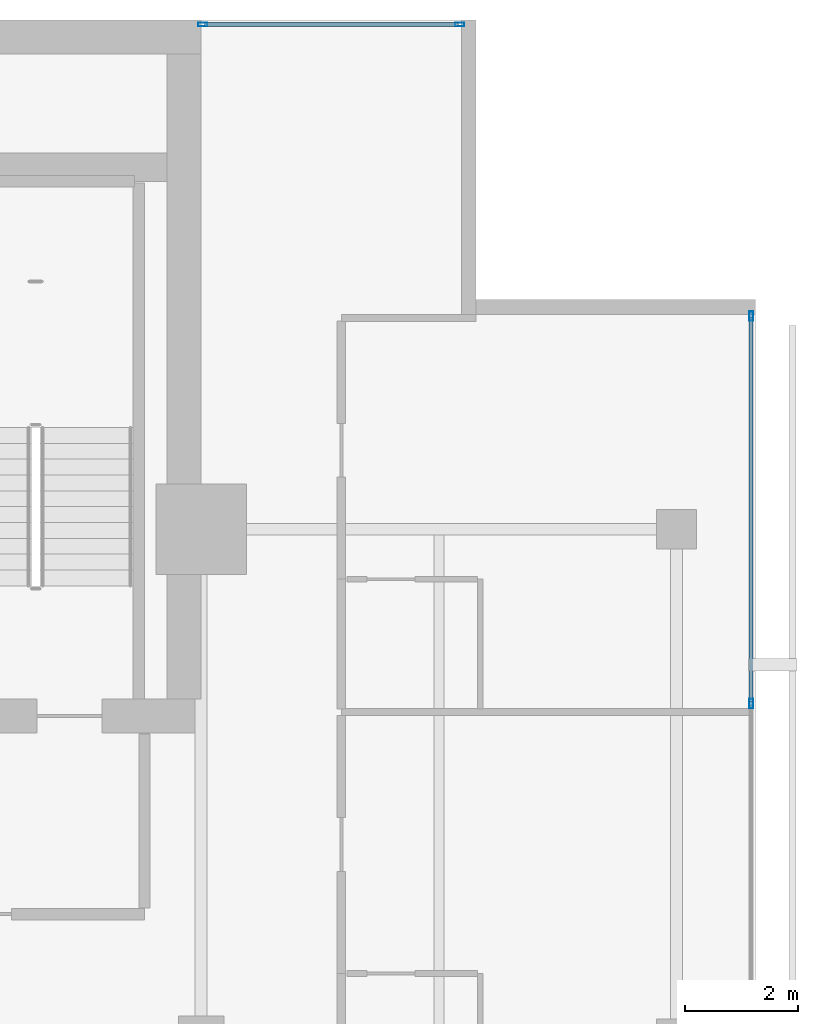
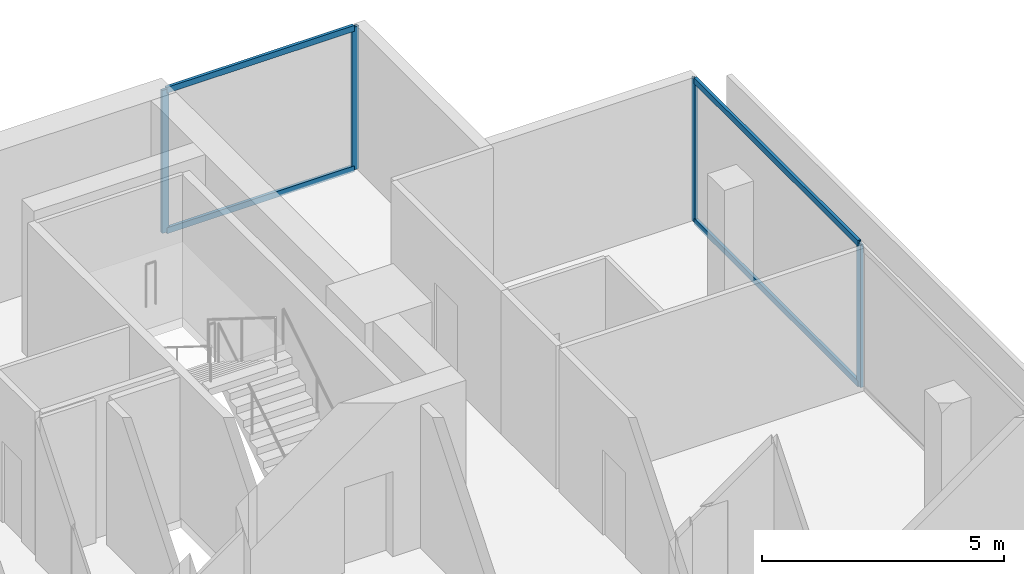
# One storey, part 18 of 25: 8 members, 2 elements without a shape of their own.
"""IFC4 building model written with IfcOpenShell, lengths in metres."""

import ifcopenshell
import ifcopenshell.guid

model = None  # the IFC model being written
_history = None  # IfcOwnerHistory: only IFC2X3 demands one
_inside = {}  # id of a spatial element -> (the spatial element, [elements in it])
_under = {}  # id of a project, library or spatial element -> (it, [spatial elements below it])
_declared = {}  # id of a project -> (the project, [libraries it declares])
_typed = {}  # id of a type object -> (the type object, [elements of that type])
_made_of = {}  # id of a material, layer set ... -> (it, [elements and type objects made of it])


def new_model(schema):
    """Start an empty IFC model of exactly this schema.

    Asked for "IFC4X3", IfcOpenShell would pick the latest addendum, in which some entities
    have other attributes; the version numbers below select the first issue.
    IFC2X3 requires an IfcOwnerHistory on every rooted entity: one is made here for all.
    """
    global model, _history
    if schema == "IFC4X3":
        model = ifcopenshell.file(schema_version=(4, 3, 0, 0))
    else:
        model = ifcopenshell.file(schema=schema)
    _inside.clear()
    _under.clear()
    _declared.clear()
    _typed.clear()
    _made_of.clear()
    _history = None
    if model.schema == "IFC2X3":
        org = make("IfcOrganization", Name="unknown")
        user = make(
            "IfcPersonAndOrganization",
            ThePerson=make("IfcPerson", FamilyName="unknown"),
            TheOrganization=org,
        )
        app = make(
            "IfcApplication",
            ApplicationDeveloper=org,
            Version="unknown",
            ApplicationFullName="unknown",
            ApplicationIdentifier="unknown",
        )
        _history = make(
            "IfcOwnerHistory",
            OwningUser=user,
            OwningApplication=app,
            ChangeAction="ADDED",
            CreationDate=0,
        )
    return model


def make(cls, **values):
    """One entity of the class cls with the attributes given. An attribute that is None is left unset."""
    return model.create_entity(
        cls, **{name: value for name, value in values.items() if value is not None}
    )


def rooted(cls, **values):
    """An entity with a GlobalId (a new one), such as an element, a storey or a relation."""
    return make(cls, GlobalId=ifcopenshell.guid.new(), OwnerHistory=_history, **values)


def si_unit(unit_type, name, prefix=None):
    """IfcSIUnit, for example si_unit("LENGTHUNIT", "METRE", prefix="MILLI")."""
    return make("IfcSIUnit", UnitType=unit_type, Prefix=prefix, Name=name)


def assignment(units):
    """IfcUnitAssignment: the units of a project."""
    return None if units is None else make("IfcUnitAssignment", Units=units)


def point(xyz):
    """IfcCartesianPoint."""
    return None if xyz is None else make("IfcCartesianPoint", Coordinates=xyz)


def direction(xyz):
    """IfcDirection."""
    return None if xyz is None else make("IfcDirection", DirectionRatios=xyz)


def frame(location, z_axis=None, x_axis=None):
    """IfcAxis2Placement3D, a coordinate frame: its origin and axes. An axis left out is left unset."""
    return make(
        "IfcAxis2Placement3D",
        Location=point(location),
        Axis=direction(z_axis),
        RefDirection=direction(x_axis),
    )


def frame_2d(location, x_axis=None):
    """IfcAxis2Placement2D, a coordinate frame in the plane: its origin and x axis."""
    return make(
        "IfcAxis2Placement2D", Location=point(location), RefDirection=direction(x_axis)
    )


def origin():
    """The frame at (0, 0, 0) with its axes left unset."""
    return frame((0.0, 0.0, 0.0))


def origin_2d():
    """The frame at (0, 0) in the plane with its x axis left unset."""
    return frame_2d((0.0, 0.0))


def place(relative_to, where):
    """IfcLocalPlacement: puts the frame where relative to a parent placement (None: the world)."""
    return make(
        "IfcLocalPlacement", PlacementRelTo=relative_to, RelativePlacement=where
    )


def context(
    kind, dimensions, precision=None, world=None, true_north=None, identifier=None
):
    """IfcGeometricRepresentationContext, for example the 3D "Model" context."""
    return make(
        "IfcGeometricRepresentationContext",
        ContextIdentifier=identifier,
        ContextType=kind,
        CoordinateSpaceDimension=dimensions,
        Precision=precision,
        WorldCoordinateSystem=world,
        TrueNorth=true_north,
    )


def subcontext(parent, identifier, kind, view, scale=None):
    """IfcGeometricRepresentationSubContext, for example "Body" below "Model"."""
    return make(
        "IfcGeometricRepresentationSubContext",
        ContextIdentifier=identifier,
        ContextType=kind,
        ParentContext=parent,
        TargetScale=scale,
        TargetView=view,
    )


def project(units=None, contexts=None):
    """IfcProject with its units and contexts."""
    return rooted(
        "IfcProject",
        Name="project",
        RepresentationContexts=contexts,
        UnitsInContext=assignment(units),
    )


def spatial(cls, under=None, at=None, **own):
    """A site, building, storey or space (cls), placed at a placement, below another one or the project."""
    s = rooted(cls, ObjectPlacement=at, **own)
    if under is not None:
        _under.setdefault(under.id(), (under, []))[1].append(s)
    return s


def profile(cls, at=None, kind="AREA", **sizes):
    """A parametric profile (cls). Its sizes go by their IFC names, for example OverallWidth=200.0."""
    return make(cls, ProfileType=kind, Position=at, **sizes)


def hollow_rectangle(**sizes):
    """IfcRectangleHollowProfileDef."""
    return profile("IfcRectangleHollowProfileDef", **sizes)


def extrude(swept, where, along, depth):
    """IfcExtrudedAreaSolid: the profile swept, set in the frame where, extruded along a direction by depth."""
    return make(
        "IfcExtrudedAreaSolid",
        SweptArea=swept,
        Position=where,
        ExtrudedDirection=direction(along),
        Depth=depth,
    )


def shape(context_of_items, identifier, shape_type, items):
    """IfcShapeRepresentation: the items that make up one representation, for example the "Body"."""
    return make(
        "IfcShapeRepresentation",
        ContextOfItems=context_of_items,
        RepresentationIdentifier=identifier,
        RepresentationType=shape_type,
        Items=items,
    )


def material(Name=None, Category=None):
    """IfcMaterial."""
    return make("IfcMaterial", Name=Name, Category=Category)


def layer(
    of_material, thickness, ventilated=None, Name=None, Category=None, Priority=None
):
    """IfcMaterialLayer: one layer of a wall or slab, of a material (None: an air gap)."""
    return make(
        "IfcMaterialLayer",
        Material=of_material,
        LayerThickness=thickness,
        IsVentilated=ventilated,
        Name=Name,
        Category=Category,
        Priority=Priority,
    )


def layer_set(layers, Name=None):
    """IfcMaterialLayerSet."""
    return make("IfcMaterialLayerSet", MaterialLayers=layers, LayerSetName=Name)


def material_profile(
    of_material, cross_section, Name=None, Category=None, Priority=None
):
    """IfcMaterialProfile: a cross section and its material."""
    return make(
        "IfcMaterialProfile",
        Name=Name,
        Material=of_material,
        Profile=cross_section,
        Priority=Priority,
        Category=Category,
    )


def profile_set(profiles, Name=None, composite=None):
    """IfcMaterialProfileSet."""
    return make(
        "IfcMaterialProfileSet",
        Name=Name,
        MaterialProfiles=profiles,
        CompositeProfile=composite,
    )


def made_of(thing, what):
    """Note that an element or type object is made of a material, layer set ...; save() writes the relation."""
    if what is not None:
        _made_of.setdefault(what.id(), (what, []))[1].append(thing)
    return thing


def type_object(cls, material=None, **own):
    """A type object (cls), such as IfcWallType, which elements share."""
    return made_of(rooted(cls, **own), material)


def element(
    cls,
    number,
    at=None,
    inside=None,
    cuts=None,
    type_object=None,
    material=None,
    context=None,
    identifier="Body",
    shape_type=None,
    held_by="IfcProductDefinitionShape",
    body=None,
    shapes=None,
    **own,
):
    """One element of the class cls, such as IfcWall. Its Tag is "e" and its number.

    at: its placement. inside: the storey or other place that contains it. cuts: it is an
    opening in that element (IfcRelVoidsElement). A single representation is given by context,
    identifier, shape_type and body (its items); several are given by shapes. held_by: the class
    of the entity that holds the representations. save() writes the other relations.
    """
    e = rooted(cls, Tag="e%d" % number, ObjectPlacement=at, **own)
    if body is not None:
        shapes = [shape(context, identifier, shape_type, body)]
    if shapes is not None:
        e.Representation = make(held_by, Representations=shapes)
    if inside is not None:
        _inside.setdefault(inside.id(), (inside, []))[1].append(e)
    if cuts is not None:
        rooted(
            "IfcRelVoidsElement", RelatingBuildingElement=cuts, RelatedOpeningElement=e
        )
    if type_object is not None:
        _typed.setdefault(type_object.id(), (type_object, []))[1].append(e)
    return made_of(e, material)


def aggregate(whole, parts):
    """IfcRelAggregates: a whole, such as a stair, and the parts it consists of."""
    return rooted("IfcRelAggregates", RelatingObject=whole, RelatedObjects=parts)


def save(model, path):
    """Write the relations noted so far, then the file.

    IfcRelAggregates (storeys below a building ...), IfcRelContainedInSpatialStructure (elements
    in a storey), IfcRelDefinesByType, IfcRelAssociatesMaterial and IfcRelDeclares: one each for
    every whole, place, type object, material and project.
    """
    for whole, parts in _under.values():
        aggregate(whole, parts)
    for where, things in _inside.values():
        rooted(
            "IfcRelContainedInSpatialStructure",
            RelatedElements=things,
            RelatingStructure=where,
        )
    for kind, things in _typed.values():
        rooted("IfcRelDefinesByType", RelatedObjects=things, RelatingType=kind)
    for what, things in _made_of.values():
        rooted("IfcRelAssociatesMaterial", RelatedObjects=things, RelatingMaterial=what)
    for by, libraries in _declared.values():
        rooted("IfcRelDeclares", RelatingContext=by, RelatedDefinitions=libraries)
    model.write(path)


model = new_model("IFC4")

# Units and contexts
model_context = context("Model", 3, precision=1e-05, world=origin(), true_north=direction((0.0, 1.0)))
body_context = subcontext(model_context, "Body", "Model", "MODEL_VIEW")
ifc_project = project(units=[si_unit("LENGTHUNIT", "METRE"), si_unit("AREAUNIT", "SQUARE_METRE"), si_unit("VOLUMEUNIT", "CUBIC_METRE"), si_unit("PLANEANGLEUNIT", "RADIAN"), si_unit("MASSUNIT", "GRAM", prefix="KILO")], contexts=[model_context])

# Site, building, storey
site_placement = place(None, origin())
site = spatial("IfcSite", under=ifc_project, at=site_placement, CompositionType="ELEMENT")
building_placement = place(site_placement, origin())
building = spatial("IfcBuilding", under=site, at=building_placement, Name="Maruvema Waterfront Hotel and Observation Tower", CompositionType="ELEMENT")
storey_placement = place(building_placement, frame((0.0, 0.0, 250.949951171875)))
storey = spatial("IfcBuildingStorey", under=building, at=storey_placement, Name="L61", CompositionType="ELEMENT", Elevation=250.949951171875)

# Curtain wall, members
ifc_material_1 = material(Name="Anodised bronze aluminium and solar-control low-E IGU", Category="aluminium")
ifc_layer = layer(ifc_material_1, 0.159912109375, Name="Zone 3 Champagne Inner Thermal Curtain Wall System CW-04")
ifc_layer_set = layer_set([ifc_layer], Name="Anodised bronze aluminium and solar-control low-E IGU")
curtain_wall_type = type_object("IfcCurtainWallType", Name="Zone 3 Champagne Inner Thermal Curtain Wall System CW-04", PredefinedType="USERDEFINED", material=ifc_layer_set)
curtain_wall_1_placement = place(storey_placement, origin())
curtain_wall_1 = element("IfcCurtainWall", 1, at=curtain_wall_1_placement, inside=storey, type_object=curtain_wall_type, Name="L61 Curtain Wall CW-L61-E", ObjectType="UNITISED CURTAIN WALL", PredefinedType="USERDEFINED")
ifc_material_2 = material(Name="Anodised architectural bronze aluminium", Category="aluminium")
ifc_material_profile_1 = material_profile(ifc_material_2, hollow_rectangle(XDim=0.070068359375, YDim=0.14990234375, WallThickness=0.00390625, at=origin_2d()), Name="ALU-T70x150")
ifc_profile_set_1 = profile_set([ifc_material_profile_1], Name="Anodised architectural bronze aluminium")
member_type_1 = type_object("IfcMemberType", Name="Curtain Wall Horizontal Transom ALU-T70x150", PredefinedType="USERDEFINED", material=ifc_profile_set_1)
member_1_placement = place(storey_placement, frame((60.1201171875, 41.949951171875, 0.030029296875), z_axis=(0.0, 1.0, 0.0), x_axis=(-1.0, 0.0, 0.0)))
member_1 = element("IfcMember", 2, at=member_1_placement, type_object=member_type_1, Name="CW-04 transom 5.1", ObjectType="TRANSOM", PredefinedType="USERDEFINED", context=body_context, shape_type="SweptSolid", body=[
    extrude(hollow_rectangle(XDim=0.070068359375, YDim=0.14990234375, WallThickness=0.00390625, at=origin_2d()), origin(), (0.0, 0.0, 1.0), 6.7900390625),
])
member_2_placement = place(storey_placement, frame((60.1201171875, 41.949951171875, 3.580078125), z_axis=(0.0, 1.0, 0.0), x_axis=(-1.0, 0.0, 0.0)))
member_2 = element("IfcMember", 3, at=member_2_placement, type_object=member_type_1, Name="CW-04 transom 5.2", ObjectType="TRANSOM", PredefinedType="USERDEFINED", context=body_context, shape_type="SweptSolid", body=[
    extrude(hollow_rectangle(XDim=0.070068359375, YDim=0.14990234375, WallThickness=0.00390625, at=origin_2d()), origin(), (0.0, 0.0, 1.0), 6.7900390625),
])

curtain_wall_2_placement = place(storey_placement, origin())
curtain_wall_2 = element("IfcCurtainWall", 4, at=curtain_wall_2_placement, inside=storey, type_object=curtain_wall_type, Name="L61 Curtain Wall CW-L61-NE", ObjectType="UNITISED CURTAIN WALL", PredefinedType="USERDEFINED")
member_3_placement = place(storey_placement, frame((54.93994140625, 53.919921875, 0.030029296875), z_axis=(-1.0, 0.0, 0.0), x_axis=(0.0, -1.0, 0.0)))
member_3 = element("IfcMember", 5, at=member_3_placement, type_object=member_type_1, Name="CW-04 transom 1.1", ObjectType="TRANSOM", PredefinedType="USERDEFINED", context=body_context, shape_type="SweptSolid", body=[
    extrude(hollow_rectangle(XDim=0.070068359375, YDim=0.14990234375, WallThickness=0.00390625, at=origin_2d()), origin(), (0.0, 0.0, 1.0), 4.47998046875),
])
member_4_placement = place(storey_placement, frame((54.93994140625, 53.919921875, 3.580078125), z_axis=(-1.0, 0.0, 0.0), x_axis=(0.0, -1.0, 0.0)))
member_4 = element("IfcMember", 6, at=member_4_placement, type_object=member_type_1, Name="CW-04 transom 1.2", ObjectType="TRANSOM", PredefinedType="USERDEFINED", context=body_context, shape_type="SweptSolid", body=[
    extrude(hollow_rectangle(XDim=0.070068359375, YDim=0.14990234375, WallThickness=0.00390625, at=origin_2d()), origin(), (0.0, 0.0, 1.0), 4.47998046875),
])

# Member
ifc_material_3 = material(Name="Anodised architectural bronze aluminium", Category="aluminium")
ifc_material_profile_2 = material_profile(ifc_material_3, hollow_rectangle(XDim=0.06494140625, YDim=0.1650390625, WallThickness=0.00390625, at=origin_2d()), Name="ALU-M65x165")
ifc_profile_set_2 = profile_set([ifc_material_profile_2], Name="Anodised architectural bronze aluminium")
member_type_2 = type_object("IfcMemberType", Name="Curtain Wall Primary Mullion ALU-M65x165", PredefinedType="MULLION", material=ifc_profile_set_2)
member_5_placement = place(storey_placement, frame((60.1201171875, 41.919921875, 0.0), z_axis=(0.0, 0.0, 1.0), x_axis=(-1.0, 0.0, 0.0)))
member_5 = element("IfcMember", 7, at=member_5_placement, type_object=member_type_2, Name="CW-04 mullion 5", PredefinedType="MULLION", context=body_context, shape_type="SweptSolid", body=[
    extrude(hollow_rectangle(XDim=0.06494140625, YDim=0.1650390625, WallThickness=0.00390625, at=origin_2d()), origin(), (0.0, 0.0, 1.0), 3.610107421875),
])

member_6_placement = place(storey_placement, frame((60.1201171875, 48.77001953125, 0.0), z_axis=(0.0, 0.0, 1.0), x_axis=(-1.0, 0.0, 0.0)))
member_6 = element("IfcMember", 8, at=member_6_placement, type_object=member_type_2, Name="CW-04 mullion 6", PredefinedType="MULLION", context=body_context, shape_type="SweptSolid", body=[
    extrude(hollow_rectangle(XDim=0.06494140625, YDim=0.1650390625, WallThickness=0.00390625, at=origin_2d()), origin(), (0.0, 0.0, 1.0), 3.610107421875),
])

aggregate(curtain_wall_1, [member_5, member_6, member_1, member_2])

member_7_placement = place(storey_placement, frame((54.969970703125, 53.919921875, 0.0), z_axis=(0.0, 0.0, 1.0), x_axis=(0.0, -1.0, 0.0)))
member_7 = element("IfcMember", 9, at=member_7_placement, type_object=member_type_2, Name="CW-04 mullion 1", PredefinedType="MULLION", context=body_context, shape_type="SweptSolid", body=[
    extrude(hollow_rectangle(XDim=0.06494140625, YDim=0.1650390625, WallThickness=0.00390625, at=origin_2d()), origin(), (0.0, 0.0, 1.0), 3.610107421875),
])

member_8_placement = place(storey_placement, frame((50.429931640625, 53.919921875, 0.0), z_axis=(0.0, 0.0, 1.0), x_axis=(0.0, -1.0, 0.0)))
member_8 = element("IfcMember", 10, at=member_8_placement, type_object=member_type_2, Name="CW-04 mullion 2", PredefinedType="MULLION", context=body_context, shape_type="SweptSolid", body=[
    extrude(hollow_rectangle(XDim=0.06494140625, YDim=0.1650390625, WallThickness=0.00390625, at=origin_2d()), origin(), (0.0, 0.0, 1.0), 3.610107421875),
])

aggregate(curtain_wall_2, [member_7, member_8, member_3, member_4])

save(model, "model.ifc")
